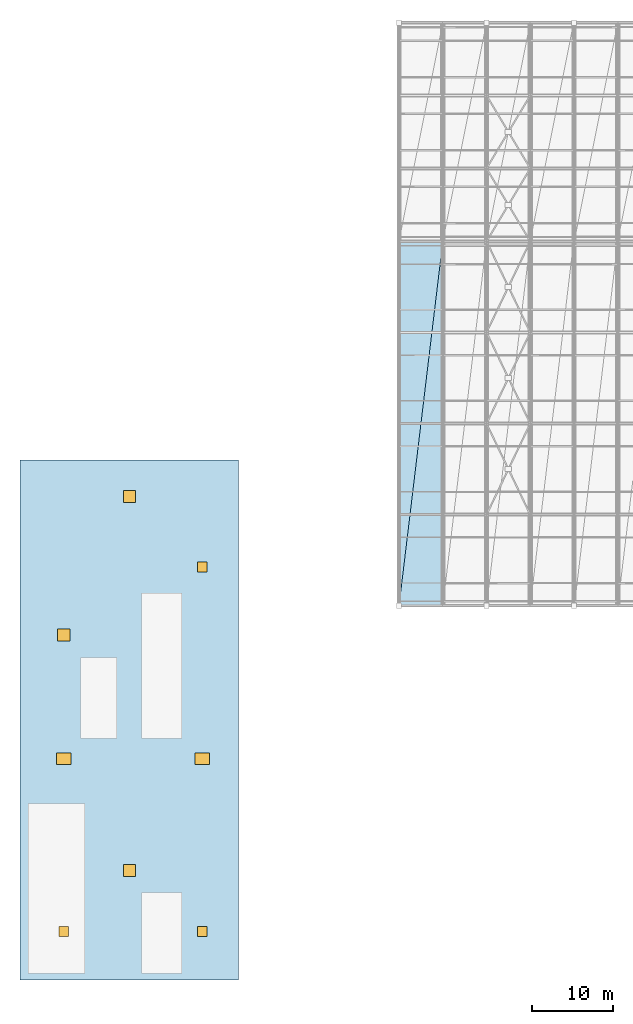
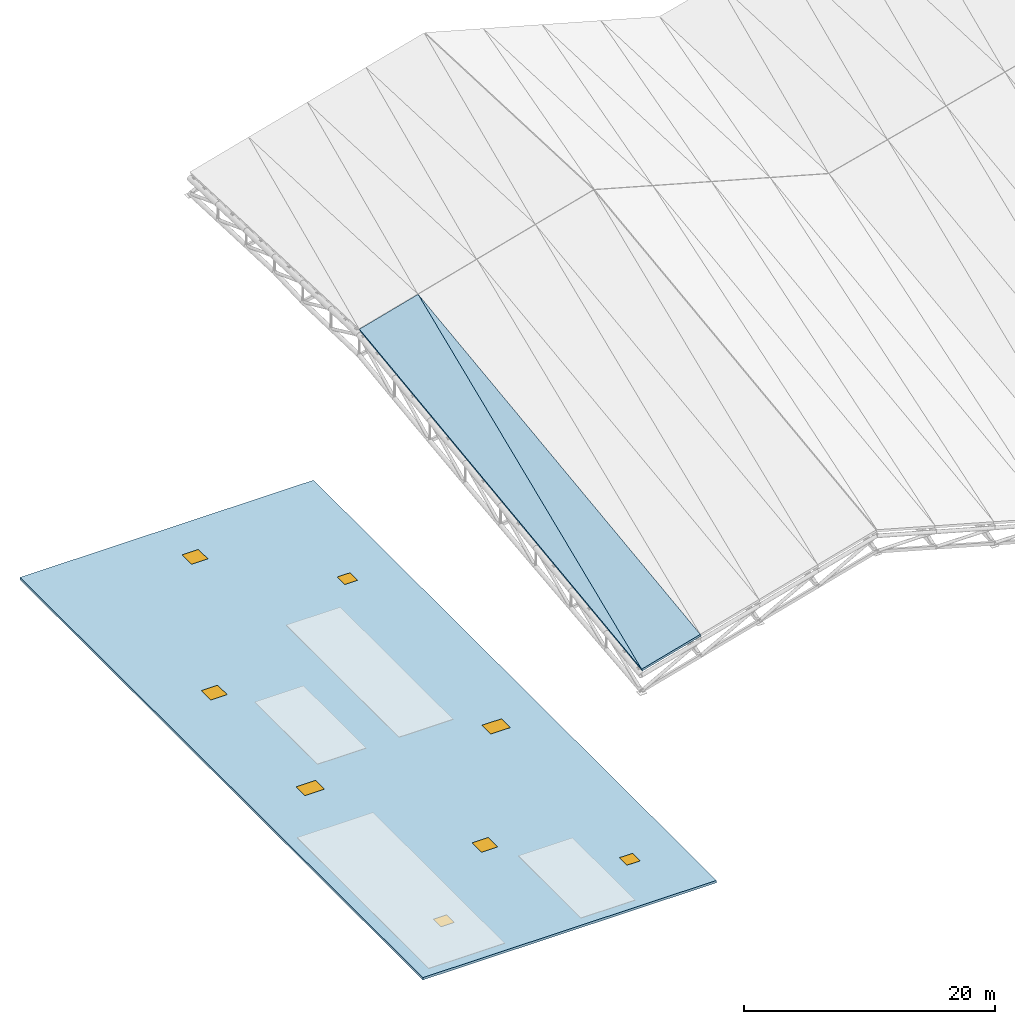
# One storey, part 95 of 109: 8 windows, 3 slabs, 8 openings.
"""IFC4 building model written with IfcOpenShell, lengths in metres."""

from ifc_helpers import new_model, si_unit, direction, frame, origin, origin_2d, place, context, subcontext, project, spatial, polyline, rectangle, outline, extrude, material, layer, layer_set, type_object, element, fill, save


model = new_model("IFC4")

# Units and contexts
model_context = context("Model", 3, precision=1e-05, world=origin(), true_north=direction((0.0, 1.0)))
body_context = subcontext(model_context, "Body", "Model", "MODEL_VIEW")
ifc_project = project(units=[si_unit("LENGTHUNIT", "METRE"), si_unit("AREAUNIT", "SQUARE_METRE"), si_unit("VOLUMEUNIT", "CUBIC_METRE"), si_unit("PLANEANGLEUNIT", "RADIAN"), si_unit("MASSUNIT", "GRAM", prefix="KILO")], contexts=[model_context])

# Site, building, storey
site_placement = place(None, origin())
site = spatial("IfcSite", under=ifc_project, at=site_placement, CompositionType="ELEMENT")
building_placement = place(site_placement, origin())
building = spatial("IfcBuilding", under=site, at=building_placement, Name="Suirenkawa Promenade Aquatics Centre", CompositionType="ELEMENT")
storey_placement = place(building_placement, frame((0.0, 0.0, 22.800048828125)))
storey = spatial("IfcBuildingStorey", under=building, at=storey_placement, Name="ROOF", CompositionType="ELEMENT", Elevation=22.800048828125)

# Slab, openings, windows
ifc_material_1 = material(Name="Concrete M35", Category="concrete")
ifc_layer_1 = layer(ifc_material_1, 0.22998046875, Name="Concrete M35", Category="concrete")
ifc_layer_set_1 = layer_set([ifc_layer_1], Name="Concrete M35")
slab_type_1 = type_object("IfcSlabType", Name="SLT-ROOF-FLAT-230", PredefinedType="ROOF", material=ifc_layer_set_1)
slab_1_placement = place(storey_placement, frame((0.0, 0.0, -0.22998046875)))
slab_1 = element("IfcSlab", 1, at=slab_1_placement, inside=storey, type_object=slab_type_1, Name="V5 top cool roof slab SL-ROOF-04 SL-0076", PredefinedType="ROOF", context=body_context, shape_type="SweptSolid", body=[
    extrude(outline(polyline([(0.0, 4.199951171875), (27.0, 4.199951171875), (27.0, 68.39990234375), (0.0, 68.39990234375), (0.0, 4.199951171875)]), holes=[polyline([(4.800048828125, 9.60009765625), (6.0, 9.60009765625), (6.0, 10.800048828125), (4.800048828125, 10.800048828125), (4.800048828125, 9.60009765625)]), polyline([(12.75, 16.949951171875), (14.25, 16.949951171875), (14.25, 18.449951171875), (12.75, 18.449951171875), (12.75, 16.949951171875)]), polyline([(21.89990234375, 9.60009765625), (23.10009765625, 9.60009765625), (23.10009765625, 10.800048828125), (21.89990234375, 10.800048828125), (21.89990234375, 9.60009765625)]), polyline([(4.5, 30.800048828125), (6.300048828125, 30.800048828125), (6.300048828125, 32.199951171875), (4.5, 32.199951171875), (4.5, 30.800048828125)]), polyline([(21.60009765625, 30.800048828125), (23.39990234375, 30.800048828125), (23.39990234375, 32.199951171875), (21.60009765625, 32.199951171875), (21.60009765625, 30.800048828125)]), polyline([(4.64990234375, 46.050048828125), (6.14990234375, 46.050048828125), (6.14990234375, 47.550048828125), (4.64990234375, 47.550048828125), (4.64990234375, 46.050048828125)]), polyline([(12.75, 63.14990234375), (14.25, 63.14990234375), (14.25, 64.64990234375), (12.75, 64.64990234375), (12.75, 63.14990234375)]), polyline([(21.89990234375, 54.60009765625), (23.10009765625, 54.60009765625), (23.10009765625, 55.800048828125), (21.89990234375, 55.800048828125), (21.89990234375, 54.60009765625)])]), origin(), (0.0, 0.0, 1.0), 0.22998046875),
])
opening_1_placement = place(slab_1_placement, frame((5.39990234375, 10.199951171875, 0.0)))
opening_1 = element("IfcOpeningElement", 2, at=opening_1_placement, cuts=slab_1, Name="Opening SK-01", PredefinedType="OPENING", context=body_context, shape_type="SweptSolid", body=[
    extrude(rectangle(XDim=1.199951171875, YDim=1.199951171875, at=origin_2d()), origin(), (0.0, 0.0, 1.0), 0.22998046875),
])
opening_2_placement = place(slab_1_placement, frame((13.5, 17.699951171875, 0.0)))
opening_2 = element("IfcOpeningElement", 3, at=opening_2_placement, cuts=slab_1, Name="Opening SK-02", PredefinedType="OPENING", context=body_context, shape_type="SweptSolid", body=[
    extrude(rectangle(XDim=1.5, YDim=1.5, at=origin_2d()), origin(), (0.0, 0.0, 1.0), 0.22998046875),
])
opening_3_placement = place(slab_1_placement, frame((22.5, 10.199951171875, 0.0)))
opening_3 = element("IfcOpeningElement", 4, at=opening_3_placement, cuts=slab_1, Name="Opening SK-01", PredefinedType="OPENING", context=body_context, shape_type="SweptSolid", body=[
    extrude(rectangle(XDim=1.199951171875, YDim=1.199951171875, at=origin_2d()), origin(), (0.0, 0.0, 1.0), 0.22998046875),
])
opening_4_placement = place(slab_1_placement, frame((5.39990234375, 31.5, 0.0)))
opening_4 = element("IfcOpeningElement", 5, at=opening_4_placement, cuts=slab_1, Name="Opening SK-03", PredefinedType="OPENING", context=body_context, shape_type="SweptSolid", body=[
    extrude(rectangle(XDim=1.800048828125, YDim=1.39990234375, at=origin_2d()), origin(), (0.0, 0.0, 1.0), 0.22998046875),
])
opening_5_placement = place(slab_1_placement, frame((22.5, 31.5, 0.0)))
opening_5 = element("IfcOpeningElement", 6, at=opening_5_placement, cuts=slab_1, Name="Opening SK-03", PredefinedType="OPENING", context=body_context, shape_type="SweptSolid", body=[
    extrude(rectangle(XDim=1.800048828125, YDim=1.39990234375, at=origin_2d()), origin(), (0.0, 0.0, 1.0), 0.22998046875),
])
opening_6_placement = place(slab_1_placement, frame((5.39990234375, 46.800048828125, 0.0)))
opening_6 = element("IfcOpeningElement", 7, at=opening_6_placement, cuts=slab_1, Name="Opening SK-02", PredefinedType="OPENING", context=body_context, shape_type="SweptSolid", body=[
    extrude(rectangle(XDim=1.5, YDim=1.5, at=origin_2d()), origin(), (0.0, 0.0, 1.0), 0.22998046875),
])
opening_7_placement = place(slab_1_placement, frame((13.5, 63.89990234375, 0.0)))
opening_7 = element("IfcOpeningElement", 8, at=opening_7_placement, cuts=slab_1, Name="Opening SK-02", PredefinedType="OPENING", context=body_context, shape_type="SweptSolid", body=[
    extrude(rectangle(XDim=1.5, YDim=1.5, at=origin_2d()), origin(), (0.0, 0.0, 1.0), 0.22998046875),
])
opening_8_placement = place(slab_1_placement, frame((22.5, 55.199951171875, 0.0)))
opening_8 = element("IfcOpeningElement", 9, at=opening_8_placement, cuts=slab_1, Name="Opening SK-01", PredefinedType="OPENING", context=body_context, shape_type="SweptSolid", body=[
    extrude(rectangle(XDim=1.199951171875, YDim=1.199951171875, at=origin_2d()), origin(), (0.0, 0.0, 1.0), 0.22998046875),
])
ifc_material_2 = material(Name="Low-E thermally broken double glazing", Category="glass")
window_type_1 = type_object("IfcWindowType", Name="SKT-HATCH-1200x1200", PartitioningType="SINGLE_PANEL", PredefinedType="SKYLIGHT", material=ifc_material_2)
window_1_placement = place(opening_1_placement, frame((0.0, 0.0, 0.179931640625)))
window_1 = element("IfcWindow", 10, at=window_1_placement, inside=storey, type_object=window_type_1, Name="Roof skylight hatch SK-01 SK-0057", OverallHeight=1.199951171875, OverallWidth=1.199951171875, PartitioningType="SINGLE_PANEL", PredefinedType="SKYLIGHT", context=body_context, shape_type="SweptSolid", body=[
    extrude(rectangle(XDim=1.199951171875, YDim=1.199951171875, at=origin_2d()), origin(), (0.0, 0.0, 1.0), 0.050048828125),
])
fill(opening_1, window_1)
window_2_placement = place(opening_3_placement, frame((0.0, 0.0, 0.179931640625)))
window_2 = element("IfcWindow", 11, at=window_2_placement, inside=storey, type_object=window_type_1, Name="Roof skylight hatch SK-01 SK-0059", OverallHeight=1.199951171875, OverallWidth=1.199951171875, PartitioningType="SINGLE_PANEL", PredefinedType="SKYLIGHT", context=body_context, shape_type="SweptSolid", body=[
    extrude(rectangle(XDim=1.199951171875, YDim=1.199951171875, at=origin_2d()), origin(), (0.0, 0.0, 1.0), 0.050048828125),
])
fill(opening_3, window_2)
window_3_placement = place(opening_8_placement, frame((0.0, 0.0, 0.179931640625)))
window_3 = element("IfcWindow", 12, at=window_3_placement, inside=storey, type_object=window_type_1, Name="Roof skylight hatch SK-01 SK-0064", OverallHeight=1.199951171875, OverallWidth=1.199951171875, PartitioningType="SINGLE_PANEL", PredefinedType="SKYLIGHT", context=body_context, shape_type="SweptSolid", body=[
    extrude(rectangle(XDim=1.199951171875, YDim=1.199951171875, at=origin_2d()), origin(), (0.0, 0.0, 1.0), 0.050048828125),
])
fill(opening_8, window_3)
window_type_2 = type_object("IfcWindowType", Name="SKT-HATCH-1500x1500", PartitioningType="SINGLE_PANEL", PredefinedType="SKYLIGHT", material=ifc_material_2)
window_4_placement = place(opening_2_placement, frame((0.0, 0.0, 0.179931640625)))
window_4 = element("IfcWindow", 13, at=window_4_placement, inside=storey, type_object=window_type_2, Name="Roof skylight hatch SK-02 SK-0058", OverallHeight=1.5, OverallWidth=1.5, PartitioningType="SINGLE_PANEL", PredefinedType="SKYLIGHT", context=body_context, shape_type="SweptSolid", body=[
    extrude(rectangle(XDim=1.5, YDim=1.5, at=origin_2d()), origin(), (0.0, 0.0, 1.0), 0.050048828125),
])
fill(opening_2, window_4)
window_5_placement = place(opening_6_placement, frame((0.0, 0.0, 0.179931640625)))
window_5 = element("IfcWindow", 14, at=window_5_placement, inside=storey, type_object=window_type_2, Name="Roof skylight hatch SK-02 SK-0062", OverallHeight=1.5, OverallWidth=1.5, PartitioningType="SINGLE_PANEL", PredefinedType="SKYLIGHT", context=body_context, shape_type="SweptSolid", body=[
    extrude(rectangle(XDim=1.5, YDim=1.5, at=origin_2d()), origin(), (0.0, 0.0, 1.0), 0.050048828125),
])
fill(opening_6, window_5)
window_6_placement = place(opening_7_placement, frame((0.0, 0.0, 0.179931640625)))
window_6 = element("IfcWindow", 15, at=window_6_placement, inside=storey, type_object=window_type_2, Name="Roof skylight hatch SK-02 SK-0063", OverallHeight=1.5, OverallWidth=1.5, PartitioningType="SINGLE_PANEL", PredefinedType="SKYLIGHT", context=body_context, shape_type="SweptSolid", body=[
    extrude(rectangle(XDim=1.5, YDim=1.5, at=origin_2d()), origin(), (0.0, 0.0, 1.0), 0.050048828125),
])
fill(opening_7, window_6)
window_type_3 = type_object("IfcWindowType", Name="SKT-HATCH-1800x1400", PartitioningType="SINGLE_PANEL", PredefinedType="SKYLIGHT", material=ifc_material_2)
window_7_placement = place(opening_4_placement, frame((0.0, 0.0, 0.179931640625)))
window_7 = element("IfcWindow", 16, at=window_7_placement, inside=storey, type_object=window_type_3, Name="Roof skylight hatch SK-03 SK-0060", OverallHeight=1.39990234375, OverallWidth=1.800048828125, PartitioningType="SINGLE_PANEL", PredefinedType="SKYLIGHT", context=body_context, shape_type="SweptSolid", body=[
    extrude(rectangle(XDim=1.800048828125, YDim=1.39990234375, at=origin_2d()), origin(), (0.0, 0.0, 1.0), 0.050048828125),
])
fill(opening_4, window_7)
window_8_placement = place(opening_5_placement, frame((0.0, 0.0, 0.179931640625)))
window_8 = element("IfcWindow", 17, at=window_8_placement, inside=storey, type_object=window_type_3, Name="Roof skylight hatch SK-03 SK-0061", OverallHeight=1.39990234375, OverallWidth=1.800048828125, PartitioningType="SINGLE_PANEL", PredefinedType="SKYLIGHT", context=body_context, shape_type="SweptSolid", body=[
    extrude(rectangle(XDim=1.800048828125, YDim=1.39990234375, at=origin_2d()), origin(), (0.0, 0.0, 1.0), 0.050048828125),
])
fill(opening_5, window_8)

# Slabs
ifc_layer_2 = layer(ifc_material_1, 0.239990234375, Name="Concrete M35", Category="concrete")
ifc_layer_set_2 = layer_set([ifc_layer_2], Name="Concrete M35")
slab_type_2 = type_object("IfcSlabType", Name="SLT-ROOF-V1-240", PredefinedType="ROOF", material=ifc_layer_set_2)
slab_2_placement = place(storey_placement, frame((46.800048828125, 50.39990234375, -14.400146484375), z_axis=(-0.265606043848, -0.123300218281, 0.956164465792), x_axis=(0.963516661409, 0.0, 0.267648357342)))
element("IfcSlab", 18, at=slab_2_placement, inside=storey, type_object=slab_type_2, Name="Folded roof facet SL-ROOF-01 SL-V1-RFS-01-1", PredefinedType="ROOF", context=body_context, shape_type="SweptSolid", body=[
    extrude(outline(polyline([(0.0, 0.0), (5.604368414195907, -2.7755575615628914e-17), (7.156741955548069, 45.323875016726745), (0.0, 0.0)])), origin(), (0.0, 0.0, -1.0), 0.239990234375),
])
slab_3_placement = place(storey_placement, frame((46.800048828125, 50.39990234375, -14.400146484375), z_axis=(-0.265606043848, -0.123300218281, 0.956164465792), x_axis=(0.117682289387, 0.980224621292, 0.159092962065)))
element("IfcSlab", 19, at=slab_3_placement, inside=storey, type_object=slab_type_2, Name="Folded roof facet SL-ROOF-01 SL-V1-RFS-01-2", PredefinedType="ROOF", context=body_context, shape_type="SweptSolid", body=[
    extrude(outline(polyline([(0.0, 0.0), (45.885429081029294, -2.220446049250313e-16), (45.011316767654264, 5.535781154059732), (0.0, 0.0)])), origin(), (0.0, 0.0, -1.0), 0.239990234375),
])

save(model, "model.ifc")
